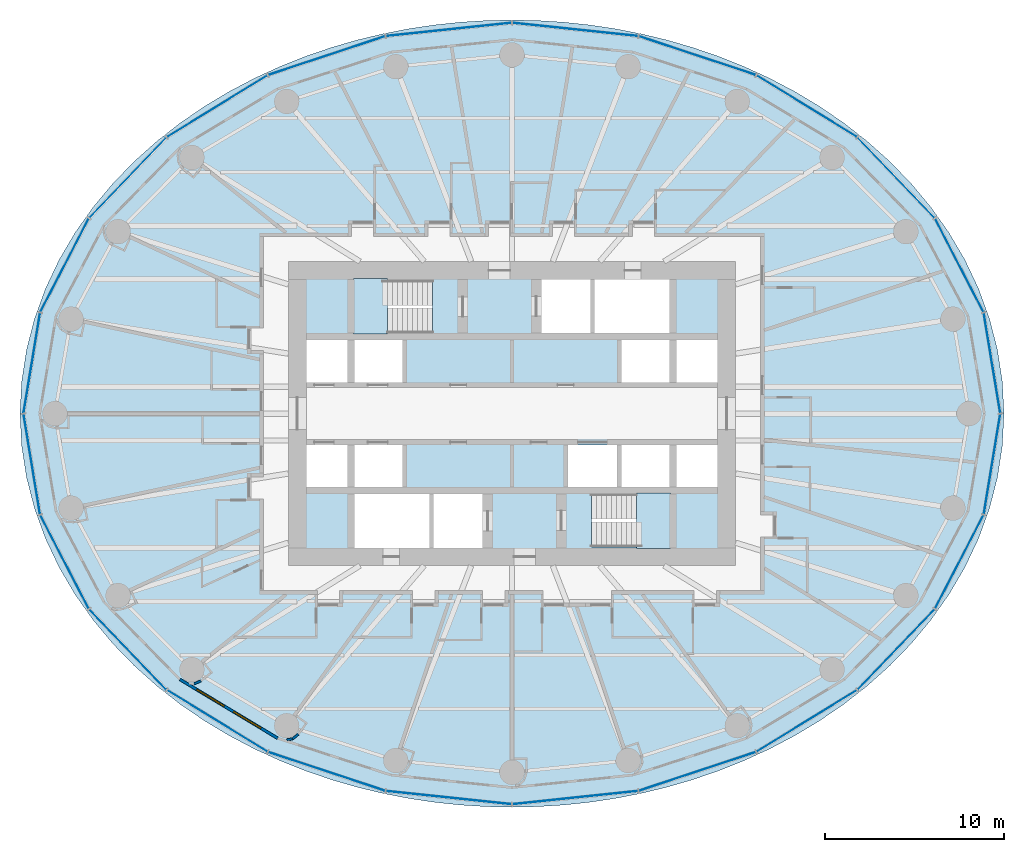
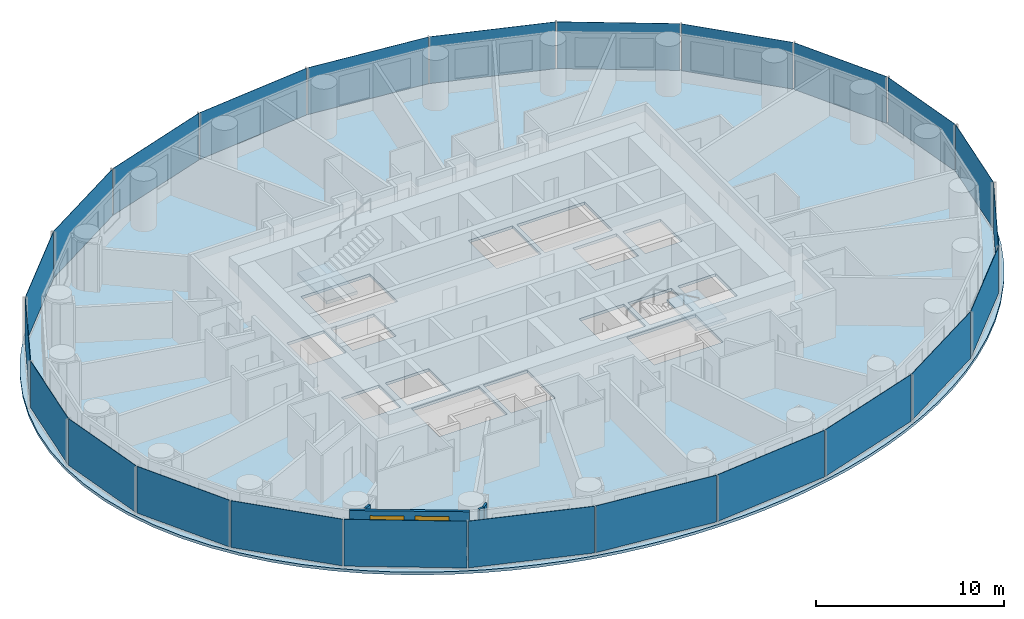
# One storey, part 5 of 14: 24 plates, 4 walls, 3 slabs, 2 windows, 2 openings, 6 elements without a shape of their own.
"""IFC4 building model written with IfcOpenShell, lengths in metres."""

from ifc_helpers import new_model, si_unit, direction, frame, frame_2d, origin, origin_2d, place, context, subcontext, project, spatial, polyline, rectangle, outline, extrude, material, layer, layer_set, type_object, element, fill, aggregate, save


model = new_model("IFC4")

# Units and contexts
model_context = context("Model", 3, precision=1e-05, world=origin(), true_north=direction((0.0, 1.0)))
body_context = subcontext(model_context, "Body", "Model", "MODEL_VIEW")
ifc_project = project(units=[si_unit("LENGTHUNIT", "METRE"), si_unit("AREAUNIT", "SQUARE_METRE"), si_unit("VOLUMEUNIT", "CUBIC_METRE"), si_unit("PLANEANGLEUNIT", "RADIAN"), si_unit("MASSUNIT", "GRAM", prefix="KILO")], contexts=[model_context])

# Site, building, storey
site_placement = place(None, origin())
site = spatial("IfcSite", under=ifc_project, at=site_placement, CompositionType="ELEMENT")
building_placement = place(site_placement, origin())
building = spatial("IfcBuilding", under=site, at=building_placement, Name="Hankou Lantern Tower", CompositionType="ELEMENT")
storey_placement = place(building_placement, frame((0.0, 0.0, 54.0)))
storey = spatial("IfcBuildingStorey", under=building, at=storey_placement, Name="L12", CompositionType="ELEMENT", Elevation=54.0)

# Curtain wall, plates
ifc_material_1 = material(Name="Glass, dark grey tinted laminated", Category="glass")
curtain_wall_type = type_object("IfcCurtainWallType", Name="CWA OUTER SKIN LOW-RISE", PredefinedType="USERDEFINED", material=ifc_material_1)
curtain_wall_1_placement = place(storey_placement, origin())
curtain_wall_1 = element("IfcCurtainWall", 1, at=curtain_wall_1_placement, inside=storey, type_object=curtain_wall_type, Name="CWA L12 OS1", ObjectType="OUTER SKIN LOW-RISE", PredefinedType="USERDEFINED")
ifc_material_2 = material(Name="Glass, dark grey tinted laminated", Category="glass")
ifc_layer_1 = layer(ifc_material_2, 0.02392578125)
ifc_layer_set_1 = layer_set([ifc_layer_1], Name="Glass, dark grey tinted laminated")
plate_type = type_object("IfcPlateType", Name="PN1 OUTER SKIN GLASS PANEL", PredefinedType="CURTAIN_PANEL", material=ifc_layer_set_1)
plate_1_placement = place(storey_placement, frame((26.8349609375, 2.826416015625, 0.080078125), z_axis=(0.0, 0.0, 1.0), x_axis=(-0.162381515188, 0.986728049427, 0.0)))
plate_1 = element("IfcPlate", 2, at=plate_1_placement, type_object=plate_type, Name="CWA glass panel 1", PredefinedType="CURTAIN_PANEL", context=body_context, shape_type="SweptSolid", body=[
    extrude(rectangle(XDim=5.648681640625, YDim=0.02392578125, at=origin_2d()), origin(), (0.0, 0.0, 1.0), 3.0400390625),
])
plate_2_placement = place(storey_placement, frame((25.006103515625, 8.286376953125, 0.080078125), z_axis=(0.0, 0.0, 1.0), x_axis=(-0.459791091957, 0.888027112062, 0.0)))
plate_2 = element("IfcPlate", 3, at=plate_2_placement, type_object=plate_type, Name="CWA glass panel 2", PredefinedType="CURTAIN_PANEL", context=body_context, shape_type="SweptSolid", body=[
    extrude(rectangle(XDim=5.8515625, YDim=0.02392578125, at=origin_2d()), origin(), (0.0, 0.0, 1.0), 3.0400390625),
])
plate_3_placement = place(storey_placement, frame((21.47314453125, 13.181640625, 0.080078125), z_axis=(0.0, 0.0, 1.0), x_axis=(-0.692215809936, 0.721690565599, 0.0)))
plate_3 = element("IfcPlate", 4, at=plate_3_placement, type_object=plate_type, Name="CWA glass panel 3", PredefinedType="CURTAIN_PANEL", context=body_context, shape_type="SweptSolid", body=[
    extrude(rectangle(XDim=6.1875, YDim=0.02392578125, at=origin_2d()), origin(), (0.0, 0.0, 1.0), 3.0400390625),
])
plate_4_placement = place(storey_placement, frame((16.47705078125, 17.1787109375, 0.080078125), z_axis=(0.0, 0.0, 1.0), x_axis=(-0.852237151549, 0.523155653242, 0.0)))
plate_4 = element("IfcPlate", 5, at=plate_4_placement, type_object=plate_type, Name="CWA glass panel 4", PredefinedType="CURTAIN_PANEL", context=body_context, shape_type="SweptSolid", body=[
    extrude(rectangle(XDim=6.554443359375, YDim=0.02392578125, at=origin_2d()), origin(), (0.0, 0.0, 1.0), 3.0400390625),
])
plate_5_placement = place(storey_placement, frame((10.35791015625, 20.0048828125, 0.080078125), z_axis=(0.0, 0.0, 1.0), x_axis=(-0.949240677293, 0.31455068999, 0.0)))
plate_5 = element("IfcPlate", 6, at=plate_5_placement, type_object=plate_type, Name="CWA glass panel 5", PredefinedType="CURTAIN_PANEL", context=body_context, shape_type="SweptSolid", body=[
    extrude(rectangle(XDim=6.856201171875, YDim=0.02392578125, at=origin_2d()), origin(), (0.0, 0.0, 1.0), 3.0400390625),
])
plate_6_placement = place(storey_placement, frame((3.532958984375, 21.468017578125, 0.080078125), z_axis=(0.0, 0.0, 1.0), x_axis=(-0.994499359107, 0.104742659579, 0.0)))
plate_6 = element("IfcPlate", 7, at=plate_6_placement, type_object=plate_type, Name="CWA glass panel 6", PredefinedType="CURTAIN_PANEL", context=body_context, shape_type="SweptSolid", body=[
    extrude(rectangle(XDim=7.02490234375, YDim=0.02392578125, at=origin_2d()), origin(), (0.0, 0.0, 1.0), 3.0400390625),
])
aggregate(curtain_wall_1, [plate_1, plate_2, plate_3, plate_4, plate_5, plate_6])

curtain_wall_2_placement = place(storey_placement, origin())
curtain_wall_2 = element("IfcCurtainWall", 8, at=curtain_wall_2_placement, inside=storey, type_object=curtain_wall_type, Name="CWA L12 OS2", ObjectType="OUTER SKIN LOW-RISE", PredefinedType="USERDEFINED")
plate_7_placement = place(storey_placement, frame((-3.532958984375, 21.468017578125, 0.080078125), z_axis=(0.0, 0.0, 1.0), x_axis=(-0.994499359107, -0.104742659579, 0.0)))
plate_7 = element("IfcPlate", 9, at=plate_7_placement, type_object=plate_type, Name="CWA glass panel 1", PredefinedType="CURTAIN_PANEL", context=body_context, shape_type="SweptSolid", body=[
    extrude(rectangle(XDim=7.02490234375, YDim=0.02392578125, at=origin_2d()), origin(), (0.0, 0.0, 1.0), 3.0400390625),
])
plate_8_placement = place(storey_placement, frame((-10.35791015625, 20.0048828125, 0.080078125), z_axis=(0.0, 0.0, 1.0), x_axis=(-0.949240677293, -0.31455068999, 0.0)))
plate_8 = element("IfcPlate", 10, at=plate_8_placement, type_object=plate_type, Name="CWA glass panel 2", PredefinedType="CURTAIN_PANEL", context=body_context, shape_type="SweptSolid", body=[
    extrude(rectangle(XDim=6.856201171875, YDim=0.02392578125, at=origin_2d()), origin(), (0.0, 0.0, 1.0), 3.0400390625),
])
plate_9_placement = place(storey_placement, frame((-16.47705078125, 17.1787109375, 0.080078125), z_axis=(0.0, 0.0, 1.0), x_axis=(-0.852237151549, -0.523155653242, 0.0)))
plate_9 = element("IfcPlate", 11, at=plate_9_placement, type_object=plate_type, Name="CWA glass panel 3", PredefinedType="CURTAIN_PANEL", context=body_context, shape_type="SweptSolid", body=[
    extrude(rectangle(XDim=6.554443359375, YDim=0.02392578125, at=origin_2d()), origin(), (0.0, 0.0, 1.0), 3.0400390625),
])
plate_10_placement = place(storey_placement, frame((-21.47314453125, 13.181640625, 0.080078125), z_axis=(0.0, 0.0, 1.0), x_axis=(-0.692215809936, -0.721690565599, 0.0)))
plate_10 = element("IfcPlate", 12, at=plate_10_placement, type_object=plate_type, Name="CWA glass panel 4", PredefinedType="CURTAIN_PANEL", context=body_context, shape_type="SweptSolid", body=[
    extrude(rectangle(XDim=6.1875, YDim=0.02392578125, at=origin_2d()), origin(), (0.0, 0.0, 1.0), 3.0400390625),
])
plate_11_placement = place(storey_placement, frame((-25.006103515625, 8.286376953125, 0.080078125), z_axis=(0.0, 0.0, 1.0), x_axis=(-0.459791091957, -0.888027112062, 0.0)))
plate_11 = element("IfcPlate", 13, at=plate_11_placement, type_object=plate_type, Name="CWA glass panel 5", PredefinedType="CURTAIN_PANEL", context=body_context, shape_type="SweptSolid", body=[
    extrude(rectangle(XDim=5.8515625, YDim=0.02392578125, at=origin_2d()), origin(), (0.0, 0.0, 1.0), 3.0400390625),
])
plate_12_placement = place(storey_placement, frame((-26.8349609375, 2.826416015625, 0.080078125), z_axis=(0.0, 0.0, 1.0), x_axis=(-0.162381515188, -0.986728049427, 0.0)))
plate_12 = element("IfcPlate", 14, at=plate_12_placement, type_object=plate_type, Name="CWA glass panel 6", PredefinedType="CURTAIN_PANEL", context=body_context, shape_type="SweptSolid", body=[
    extrude(rectangle(XDim=5.648681640625, YDim=0.02392578125, at=origin_2d()), origin(), (0.0, 0.0, 1.0), 3.0400390625),
])
aggregate(curtain_wall_2, [plate_7, plate_8, plate_9, plate_10, plate_11, plate_12])

curtain_wall_3_placement = place(storey_placement, origin())
curtain_wall_3 = element("IfcCurtainWall", 15, at=curtain_wall_3_placement, inside=storey, type_object=curtain_wall_type, Name="CWA L12 OS3", ObjectType="OUTER SKIN LOW-RISE", PredefinedType="USERDEFINED")
plate_13_placement = place(storey_placement, frame((-26.8349609375, -2.826416015625, 0.080078125), z_axis=(0.0, 0.0, 1.0), x_axis=(0.162381515188, -0.986728049427, 0.0)))
plate_13 = element("IfcPlate", 16, at=plate_13_placement, type_object=plate_type, Name="CWA glass panel 1", PredefinedType="CURTAIN_PANEL", context=body_context, shape_type="SweptSolid", body=[
    extrude(rectangle(XDim=5.648681640625, YDim=0.02392578125, at=origin_2d()), origin(), (0.0, 0.0, 1.0), 3.0400390625),
])
plate_14_placement = place(storey_placement, frame((-25.006103515625, -8.286376953125, 0.080078125), z_axis=(0.0, 0.0, 1.0), x_axis=(0.459791091957, -0.888027112062, 0.0)))
plate_14 = element("IfcPlate", 17, at=plate_14_placement, type_object=plate_type, Name="CWA glass panel 2", PredefinedType="CURTAIN_PANEL", context=body_context, shape_type="SweptSolid", body=[
    extrude(rectangle(XDim=5.8515625, YDim=0.02392578125, at=origin_2d()), origin(), (0.0, 0.0, 1.0), 3.0400390625),
])
plate_15_placement = place(storey_placement, frame((-21.47314453125, -13.181640625, 0.080078125), z_axis=(0.0, 0.0, 1.0), x_axis=(0.692215809936, -0.721690565599, 0.0)))
plate_15 = element("IfcPlate", 18, at=plate_15_placement, type_object=plate_type, Name="CWA glass panel 3", PredefinedType="CURTAIN_PANEL", context=body_context, shape_type="SweptSolid", body=[
    extrude(rectangle(XDim=6.1875, YDim=0.02392578125, at=origin_2d()), origin(), (0.0, 0.0, 1.0), 3.0400390625),
])
plate_16_placement = place(storey_placement, frame((-16.47705078125, -17.1787109375, 0.080078125), z_axis=(0.0, 0.0, 1.0), x_axis=(0.852237151549, -0.523155653242, 0.0)))
plate_16 = element("IfcPlate", 19, at=plate_16_placement, type_object=plate_type, Name="CWA glass panel 4", PredefinedType="CURTAIN_PANEL", context=body_context, shape_type="SweptSolid", body=[
    extrude(rectangle(XDim=6.554443359375, YDim=0.02392578125, at=origin_2d()), origin(), (0.0, 0.0, 1.0), 3.0400390625),
])
plate_17_placement = place(storey_placement, frame((-10.35791015625, -20.0048828125, 0.080078125), z_axis=(0.0, 0.0, 1.0), x_axis=(0.949240677293, -0.31455068999, 0.0)))
plate_17 = element("IfcPlate", 20, at=plate_17_placement, type_object=plate_type, Name="CWA glass panel 5", PredefinedType="CURTAIN_PANEL", context=body_context, shape_type="SweptSolid", body=[
    extrude(rectangle(XDim=6.856201171875, YDim=0.02392578125, at=origin_2d()), origin(), (0.0, 0.0, 1.0), 3.0400390625),
])
plate_18_placement = place(storey_placement, frame((-3.532958984375, -21.468017578125, 0.080078125), z_axis=(0.0, 0.0, 1.0), x_axis=(0.994499359107, -0.104742659579, 0.0)))
plate_18 = element("IfcPlate", 21, at=plate_18_placement, type_object=plate_type, Name="CWA glass panel 6", PredefinedType="CURTAIN_PANEL", context=body_context, shape_type="SweptSolid", body=[
    extrude(rectangle(XDim=7.02490234375, YDim=0.02392578125, at=origin_2d()), origin(), (0.0, 0.0, 1.0), 3.0400390625),
])
aggregate(curtain_wall_3, [plate_13, plate_14, plate_15, plate_16, plate_17, plate_18])

curtain_wall_4_placement = place(storey_placement, origin())
curtain_wall_4 = element("IfcCurtainWall", 22, at=curtain_wall_4_placement, inside=storey, type_object=curtain_wall_type, Name="CWA L12 OS4", ObjectType="OUTER SKIN LOW-RISE", PredefinedType="USERDEFINED")
plate_19_placement = place(storey_placement, frame((3.532958984375, -21.468017578125, 0.080078125), z_axis=(0.0, 0.0, 1.0), x_axis=(0.994499359107, 0.104742659579, 0.0)))
plate_19 = element("IfcPlate", 23, at=plate_19_placement, type_object=plate_type, Name="CWA glass panel 1", PredefinedType="CURTAIN_PANEL", context=body_context, shape_type="SweptSolid", body=[
    extrude(rectangle(XDim=7.02490234375, YDim=0.02392578125, at=origin_2d()), origin(), (0.0, 0.0, 1.0), 3.0400390625),
])
plate_20_placement = place(storey_placement, frame((10.35791015625, -20.0048828125, 0.080078125), z_axis=(0.0, 0.0, 1.0), x_axis=(0.949240677293, 0.31455068999, 0.0)))
plate_20 = element("IfcPlate", 24, at=plate_20_placement, type_object=plate_type, Name="CWA glass panel 2", PredefinedType="CURTAIN_PANEL", context=body_context, shape_type="SweptSolid", body=[
    extrude(rectangle(XDim=6.856201171875, YDim=0.02392578125, at=origin_2d()), origin(), (0.0, 0.0, 1.0), 3.0400390625),
])
plate_21_placement = place(storey_placement, frame((16.47705078125, -17.1787109375, 0.080078125), z_axis=(0.0, 0.0, 1.0), x_axis=(0.852237151549, 0.523155653242, 0.0)))
plate_21 = element("IfcPlate", 25, at=plate_21_placement, type_object=plate_type, Name="CWA glass panel 3", PredefinedType="CURTAIN_PANEL", context=body_context, shape_type="SweptSolid", body=[
    extrude(rectangle(XDim=6.554443359375, YDim=0.02392578125, at=origin_2d()), origin(), (0.0, 0.0, 1.0), 3.0400390625),
])
plate_22_placement = place(storey_placement, frame((21.47314453125, -13.181640625, 0.080078125), z_axis=(0.0, 0.0, 1.0), x_axis=(0.692215809936, 0.721690565599, 0.0)))
plate_22 = element("IfcPlate", 26, at=plate_22_placement, type_object=plate_type, Name="CWA glass panel 4", PredefinedType="CURTAIN_PANEL", context=body_context, shape_type="SweptSolid", body=[
    extrude(rectangle(XDim=6.1875, YDim=0.02392578125, at=origin_2d()), origin(), (0.0, 0.0, 1.0), 3.0400390625),
])
plate_23_placement = place(storey_placement, frame((25.006103515625, -8.286376953125, 0.080078125), z_axis=(0.0, 0.0, 1.0), x_axis=(0.459791091957, 0.888027112062, 0.0)))
plate_23 = element("IfcPlate", 27, at=plate_23_placement, type_object=plate_type, Name="CWA glass panel 5", PredefinedType="CURTAIN_PANEL", context=body_context, shape_type="SweptSolid", body=[
    extrude(rectangle(XDim=5.8515625, YDim=0.02392578125, at=origin_2d()), origin(), (0.0, 0.0, 1.0), 3.0400390625),
])
plate_24_placement = place(storey_placement, frame((26.8349609375, -2.826416015625, 0.080078125), z_axis=(0.0, 0.0, 1.0), x_axis=(0.162381515188, 0.986728049427, 0.0)))
plate_24 = element("IfcPlate", 28, at=plate_24_placement, type_object=plate_type, Name="CWA glass panel 6", PredefinedType="CURTAIN_PANEL", context=body_context, shape_type="SweptSolid", body=[
    extrude(rectangle(XDim=5.648681640625, YDim=0.02392578125, at=origin_2d()), origin(), (0.0, 0.0, 1.0), 3.0400390625),
])
aggregate(curtain_wall_4, [plate_19, plate_20, plate_21, plate_22, plate_23, plate_24])

# Slab
ifc_material_3 = material(Name="Concrete C50", Category="concrete")
ifc_layer_2 = layer(ifc_material_3, 0.179931640625)
ifc_layer_set_2 = layer_set([ifc_layer_2], Name="Concrete C50")
slab_type_1 = type_object("IfcSlabType", Name="S1 CONCRETE FLOOR SLAB 180", PredefinedType="FLOOR", material=ifc_layer_set_2)
slab_1_placement = place(storey_placement, frame((0.0, 0.0, -0.179931640625)))
element("IfcSlab", 29, at=slab_1_placement, inside=storey, type_object=slab_type_1, Name="Floor slab L12", PredefinedType="FLOOR", context=body_context, shape_type="SweptSolid", body=[
    extrude(outline(polyline([(27.5, 0.0), (27.408203125, 1.79638671875), (27.135009765625, 3.572509765625), (26.6875, 5.308349609375), (26.076171875, 6.987060546875), (25.3154296875, 8.593505859375), (24.420654296875, 10.115478515625), (23.40966796875, 11.54443359375), (22.29931640625, 12.87451171875), (21.1064453125, 14.102783203125), (19.846435546875, 15.228759765625), (18.533447265625, 16.25341796875), (17.17919921875, 17.17919921875), (15.794189453125, 18.009765625), (14.38671875, 18.749267578125), (12.964111328125, 19.402099609375), (11.53125, 19.972412109375), (10.09228515625, 20.46484375), (8.650146484375, 20.88330078125), (7.20703125, 21.23095703125), (5.763916015625, 21.51123046875), (4.32177734375, 21.7265625), (2.88037109375, 21.87890625), (1.43994140625, 21.9697265625), (0.0, 22.0), (-1.43994140625, 21.9697265625), (-2.88037109375, 21.87890625), (-4.32177734375, 21.7265625), (-5.763916015625, 21.51123046875), (-7.20703125, 21.23095703125), (-8.650146484375, 20.88330078125), (-10.09228515625, 20.46484375), (-11.53125, 19.972412109375), (-12.964111328125, 19.402099609375), (-14.38671875, 18.749267578125), (-15.794189453125, 18.009765625), (-17.17919921875, 17.17919921875), (-18.533447265625, 16.25341796875), (-19.846435546875, 15.228759765625), (-21.1064453125, 14.102783203125), (-22.29931640625, 12.87451171875), (-23.40966796875, 11.54443359375), (-24.420654296875, 10.115478515625), (-25.3154296875, 8.593505859375), (-26.076171875, 6.987060546875), (-26.6875, 5.308349609375), (-27.135009765625, 3.572509765625), (-27.408203125, 1.79638671875), (-27.5, 0.0), (-27.408203125, -1.79638671875), (-27.135009765625, -3.572509765625), (-26.6875, -5.308349609375), (-26.076171875, -6.987060546875), (-25.3154296875, -8.593505859375), (-24.420654296875, -10.115478515625), (-23.40966796875, -11.54443359375), (-22.29931640625, -12.87451171875), (-21.1064453125, -14.102783203125), (-19.846435546875, -15.228759765625), (-18.533447265625, -16.25341796875), (-17.17919921875, -17.17919921875), (-15.794189453125, -18.009765625), (-14.38671875, -18.749267578125), (-12.964111328125, -19.402099609375), (-11.53125, -19.972412109375), (-10.09228515625, -20.46484375), (-8.650146484375, -20.88330078125), (-7.20703125, -21.23095703125), (-5.763916015625, -21.51123046875), (-4.32177734375, -21.7265625), (-2.88037109375, -21.87890625), (-1.43994140625, -21.9697265625), (0.0, -22.0), (1.43994140625, -21.9697265625), (2.88037109375, -21.87890625), (4.32177734375, -21.7265625), (5.763916015625, -21.51123046875), (7.20703125, -21.23095703125), (8.650146484375, -20.88330078125), (10.09228515625, -20.46484375), (11.53125, -19.972412109375), (12.964111328125, -19.402099609375), (14.38671875, -18.749267578125), (15.794189453125, -18.009765625), (17.17919921875, -17.17919921875), (18.533447265625, -16.25341796875), (19.846435546875, -15.228759765625), (21.1064453125, -14.102783203125), (22.29931640625, -12.87451171875), (23.40966796875, -11.54443359375), (24.420654296875, -10.115478515625), (25.3154296875, -8.593505859375), (26.076171875, -6.987060546875), (26.6875, -5.308349609375), (27.135009765625, -3.572509765625), (27.408203125, -1.79638671875), (27.5, 0.0)]), holes=[polyline([(-11.5, 4.10009765625), (-9.199951171875, 4.10009765625), (-9.199951171875, 1.75), (-11.5, 1.75), (-11.5, 4.10009765625)]), polyline([(-8.800048828125, 4.10009765625), (-6.125, 4.10009765625), (-6.125, 1.75), (-8.800048828125, 1.75), (-8.800048828125, 4.10009765625)]), polyline([(6.125, 4.10009765625), (8.800048828125, 4.10009765625), (8.800048828125, 1.75), (6.125, 1.75), (6.125, 4.10009765625)]), polyline([(9.199951171875, 4.10009765625), (11.5, 4.10009765625), (11.5, 1.75), (9.199951171875, 1.75), (9.199951171875, 4.10009765625)]), polyline([(-11.5, -1.75), (-9.199951171875, -1.75), (-9.199951171875, -4.10009765625), (-11.5, -4.10009765625), (-11.5, -1.75)]), polyline([(-8.800048828125, -1.75), (-6.125, -1.75), (-6.125, -4.10009765625), (-8.800048828125, -4.10009765625), (-8.800048828125, -1.75)]), polyline([(3.125, -1.75), (5.875, -1.75), (5.875, -4.10009765625), (3.125, -4.10009765625), (3.125, -1.75)]), polyline([(6.125, -1.75), (8.800048828125, -1.75), (8.800048828125, -4.10009765625), (6.125, -4.10009765625), (6.125, -1.75)]), polyline([(9.199951171875, -1.75), (11.5, -1.75), (11.5, -4.10009765625), (9.199951171875, -4.10009765625), (9.199951171875, -1.75)]), polyline([(1.64990234375, 7.5), (4.375, 7.5), (4.375, 4.5), (1.64990234375, 4.5), (1.64990234375, 7.5)]), polyline([(-4.375, -4.5), (-1.64990234375, -4.5), (-1.64990234375, -7.5), (-4.375, -7.5), (-4.375, -4.5)]), polyline([(-8.699951171875, 7.449951171875), (-4.449951171875, 7.449951171875), (-4.449951171875, 4.5), (-8.699951171875, 4.5), (-8.699951171875, 7.449951171875)]), polyline([(4.449951171875, -4.5), (8.699951171875, -4.5), (8.699951171875, -7.449951171875), (4.449951171875, -7.449951171875), (4.449951171875, -4.5)]), polyline([(4.625, 7.5), (8.800048828125, 7.5), (8.800048828125, 4.5), (4.625, 4.5), (4.625, 7.5)]), polyline([(-8.800048828125, -4.5), (-4.625, -4.5), (-4.625, -7.5), (-8.800048828125, -7.5), (-8.800048828125, -4.5)])]), origin(), (0.0, 0.0, 1.0), 0.179931640625),
])

# Stair, slab
ifc_material_4 = material(Name="Concrete C40", Category="concrete")
stair_type = type_object("IfcStairType", Name="ST33 CORE STAIR 3300 RISE", PredefinedType="HALF_TURN_STAIR", material=ifc_material_4)
stair_1_placement = place(storey_placement, origin())
stair_1 = element("IfcStair", 30, at=stair_1_placement, inside=storey, type_object=stair_type, Name="Stair STA L12", PredefinedType="HALF_TURN_STAIR")
ifc_material_5 = material(Name="Concrete C40", Category="concrete")
ifc_layer_3 = layer(ifc_material_5, 0.199951171875)
ifc_layer_set_3 = layer_set([ifc_layer_3], Name="Concrete C40")
slab_type_2 = type_object("IfcSlabType", Name="SL1 STAIR LANDING 200", PredefinedType="LANDING", material=ifc_layer_set_3)
slab_2_placement = place(storey_placement, frame((0.0, 0.0, 1.371337890625)))
slab_2 = element("IfcSlab", 31, at=slab_2_placement, type_object=slab_type_2, Name="STA landing 1", PredefinedType="LANDING", context=body_context, shape_type="SweptSolid", body=[
    extrude(outline(polyline([(-8.85009765625, 4.449951171875), (-6.949951171875, 4.449951171875), (-6.949951171875, 7.550048828125), (-8.85009765625, 7.550048828125), (-8.85009765625, 4.449951171875)])), origin(), (0.0, 0.0, 1.0), 0.2001953125),
])
aggregate(stair_1, [slab_2])

stair_2_placement = place(storey_placement, origin())
stair_2 = element("IfcStair", 32, at=stair_2_placement, inside=storey, type_object=stair_type, Name="Stair STB L12", PredefinedType="HALF_TURN_STAIR")
slab_3_placement = place(storey_placement, frame((0.0, 0.0, 1.371337890625)))
slab_3 = element("IfcSlab", 33, at=slab_3_placement, type_object=slab_type_2, Name="STB landing 1", PredefinedType="LANDING", context=body_context, shape_type="SweptSolid", body=[
    extrude(outline(polyline([(8.85009765625, -4.449951171875), (6.949951171875, -4.449951171875), (6.949951171875, -7.550048828125), (8.85009765625, -7.550048828125), (8.85009765625, -4.449951171875)])), origin(), (0.0, 0.0, 1.0), 0.2001953125),
])
aggregate(stair_2, [slab_3])

# Wall, openings, windows
ifc_material_6 = material(Name="Aluminium spandrel panel on steel studs", Category="steel")
ifc_layer_4 = layer(ifc_material_6, 0.14990234375)
ifc_layer_set_4 = layer_set([ifc_layer_4], Name="Aluminium spandrel panel on steel studs")
wall_type_1 = type_object("IfcWallType", Name="EW1 INNER SKIN WALL 150", PredefinedType="ELEMENTEDWALL", material=ifc_layer_set_4)
wall_1_placement = place(storey_placement, frame((-18.569580078125, -14.855712890625, 0.0), z_axis=(0.0, 0.0, 1.0), x_axis=(0.856983180864, -0.515344377787, 0.0)))
wall_1 = element("IfcWall", 34, at=wall_1_placement, inside=storey, type_object=wall_type_1, Name="Inner skin R16-R17 L12", PredefinedType="ELEMENTEDWALL", context=body_context, shape_type="SweptSolid", body=[
    extrude(rectangle(XDim=6.386474609375, YDim=0.14990234375, at=frame_2d((3.193359375, 0.0))), origin(), (0.0, 0.0, 1.0), 3.1201171875),
])
opening_1_placement = place(wall_1_placement, frame((1.09326171875, 0.0, 0.89990234375)))
opening_1 = element("IfcOpeningElement", 35, at=opening_1_placement, cuts=wall_1, Name="Opening W1", PredefinedType="OPENING", context=body_context, shape_type="SweptSolid", body=[
    extrude(rectangle(XDim=1.800048828125, YDim=1.89990234375, at=frame_2d((0.89990234375, 0.949951171875))), frame((0.0, 0.0849609375, 0.0), z_axis=(0.0, -1.0, 0.0), x_axis=(1.0, 0.0, 0.0)), (0.0, 0.0, 1.0), 0.169921875),
])
opening_2_placement = place(wall_1_placement, frame((3.4931640625, 0.0, 0.89990234375)))
opening_2 = element("IfcOpeningElement", 36, at=opening_2_placement, cuts=wall_1, Name="Opening W1", PredefinedType="OPENING", context=body_context, shape_type="SweptSolid", body=[
    extrude(rectangle(XDim=1.800048828125, YDim=1.89990234375, at=frame_2d((0.89990234375, 0.949951171875))), frame((0.0, 0.0849609375, 0.0), z_axis=(0.0, -1.0, 0.0), x_axis=(1.0, 0.0, 0.0)), (0.0, 0.0, 1.0), 0.169921875),
])
ifc_material_7 = material(Name="Aluminium framed double glazed window", Category="aluminium")
window_type = type_object("IfcWindowType", Name="W1 GUEST ROOM WINDOW 1800X1900", PartitioningType="DOUBLE_PANEL_VERTICAL", PredefinedType="WINDOW", material=ifc_material_7)
window_1_placement = place(opening_1_placement, origin())
window_1 = element("IfcWindow", 37, at=window_1_placement, inside=storey, type_object=window_type, Name="Window R16.1 L12", OverallHeight=1.89990234375, OverallWidth=1.800048828125, PartitioningType="SINGLE_PANEL", PredefinedType="WINDOW", context=body_context, shape_type="SweptSolid", body=[
    extrude(rectangle(XDim=1.800048828125, YDim=1.89990234375, at=frame_2d((0.89990234375, 0.949951171875))), frame((0.0, 0.030029296875, 0.0), z_axis=(0.0, -1.0, 0.0), x_axis=(1.0, 0.0, 0.0)), (0.0, 0.0, 1.0), 0.06005859375),
])
fill(opening_1, window_1)
window_2_placement = place(opening_2_placement, origin())
window_2 = element("IfcWindow", 38, at=window_2_placement, inside=storey, type_object=window_type, Name="Window R16.2 L12", OverallHeight=1.89990234375, OverallWidth=1.800048828125, PartitioningType="SINGLE_PANEL", PredefinedType="WINDOW", context=body_context, shape_type="SweptSolid", body=[
    extrude(rectangle(XDim=1.800048828125, YDim=1.89990234375, at=frame_2d((0.89990234375, 0.949951171875))), frame((0.0, 0.030029296875, 0.0), z_axis=(0.0, -1.0, 0.0), x_axis=(1.0, 0.0, 0.0)), (0.0, 0.0, 1.0), 0.06005859375),
])
fill(opening_2, window_2)

# Walls
ifc_material_8 = material(Name="Masonry lightweight concrete block", Category="masonry")
ifc_layer_5 = layer(ifc_material_8, 0.1201171875)
ifc_layer_set_5 = layer_set([ifc_layer_5], Name="Masonry lightweight concrete block")
wall_type_2 = type_object("IfcWallType", Name="IW4 PARTITION 120", PredefinedType="PARTITIONING", material=ifc_layer_set_5)
wall_2_placement = place(storey_placement, frame((-17.38720703125, -14.94384765625, 0.0), z_axis=(0.0, 0.0, 1.0), x_axis=(-0.916036698064, -0.401094462441, 0.0)))
element("IfcWall", 39, at=wall_2_placement, inside=storey, type_object=wall_type_2, Name="Column casing R16", PredefinedType="PARTITIONING", context=body_context, shape_type="SweptSolid", body=[
    extrude(rectangle(XDim=0.418212890625, YDim=0.1201171875, at=frame_2d((0.208984375, 0.0))), origin(), (0.0, 0.0, 1.0), 3.1201171875),
])
wall_3_placement = place(storey_placement, frame((-11.93603515625, -17.9189453125, 0.0), z_axis=(0.0, 0.0, 1.0), x_axis=(-0.775023088441, -0.631932917629, 0.0)))
element("IfcWall", 40, at=wall_3_placement, inside=storey, type_object=wall_type_2, Name="Column casing R17", PredefinedType="PARTITIONING", context=body_context, shape_type="SweptSolid", body=[
    extrude(rectangle(XDim=0.41796875, YDim=0.1201171875, at=frame_2d((0.208984375, 0.0))), origin(), (0.0, 0.0, 1.0), 3.1201171875),
])
wall_4_placement = place(storey_placement, frame((-12.260009765625, -18.18310546875, 0.0), z_axis=(0.0, 0.0, 1.0), x_axis=(-0.987218661664, -0.159371622511, 0.0)))
element("IfcWall", 41, at=wall_4_placement, inside=storey, type_object=wall_type_2, Name="Column casing R17", PredefinedType="PARTITIONING", context=body_context, shape_type="SweptSolid", body=[
    extrude(rectangle(XDim=0.330810546875, YDim=0.1201171875, at=frame_2d((0.16552734375, 0.0))), origin(), (0.0, 0.0, 1.0), 3.1201171875),
])

save(model, "model.ifc")
